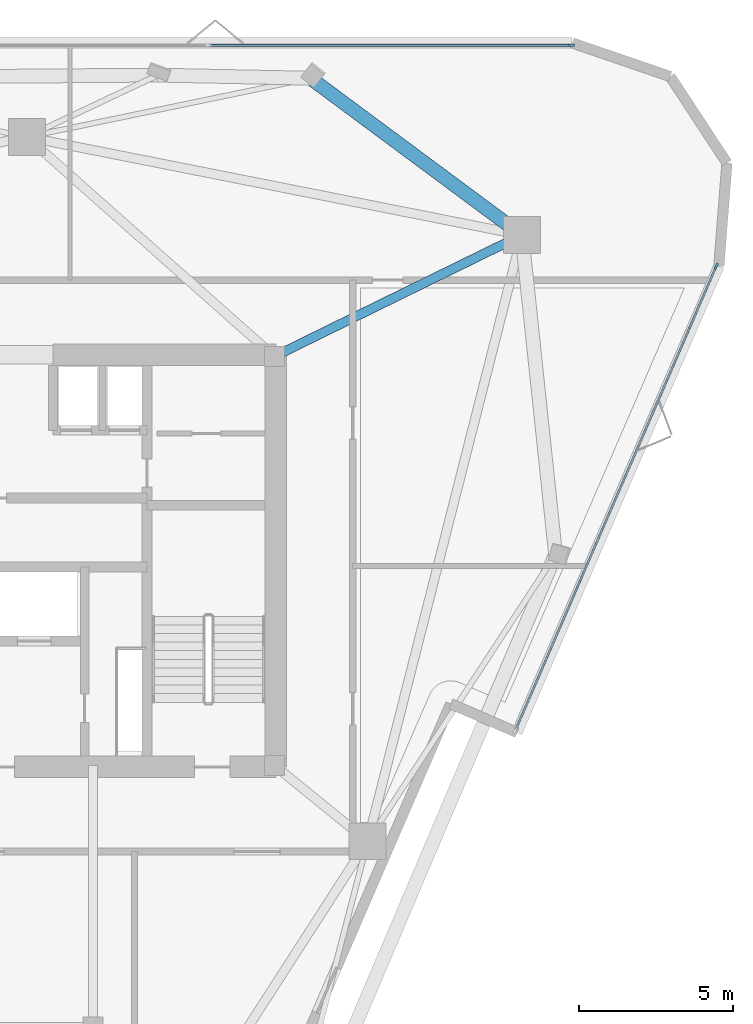
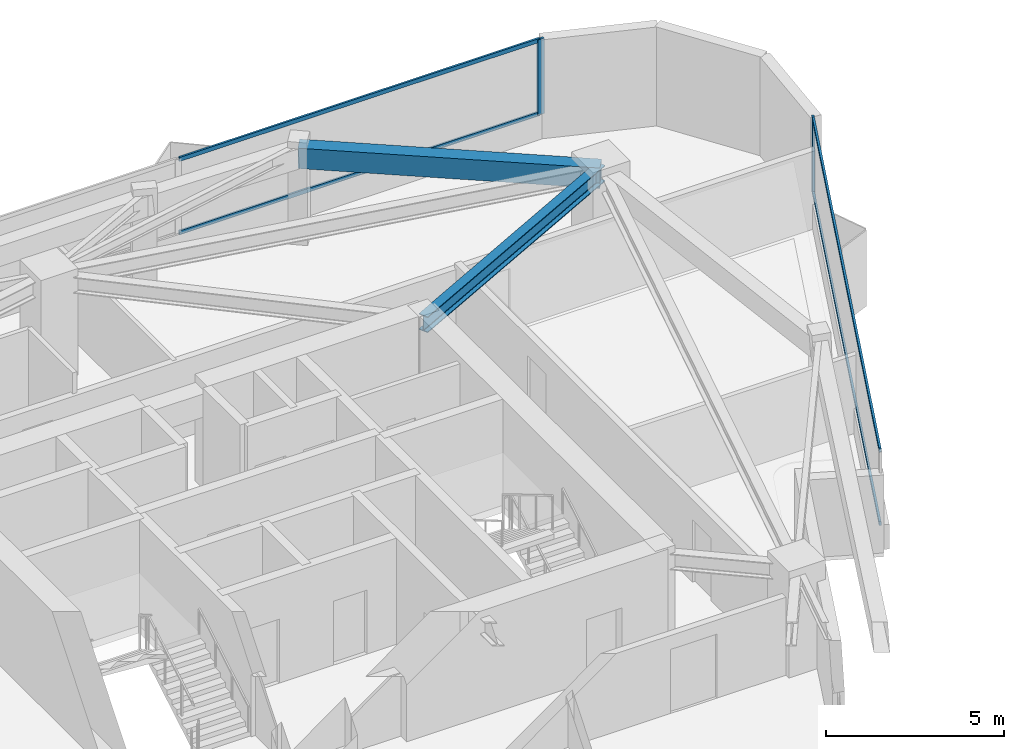
# One storey, part 6 of 10: 6 members, 2 beams, 2 elements without a shape of their own.
"""IFC4 building model written with IfcOpenShell, lengths in metres."""

from ifc_helpers import new_model, si_unit, direction, frame, origin, origin_2d, place, context, subcontext, project, spatial, rectangle, i_section, extrude, material, layer, layer_set, material_profile, profile_set, type_object, element, aggregate, save


model = new_model("IFC4")

# Units and contexts
model_context = context("Model", 3, precision=1e-05, world=origin(), true_north=direction((0.0, 1.0)))
body_context = subcontext(model_context, "Body", "Model", "MODEL_VIEW")
ifc_project = project(units=[si_unit("LENGTHUNIT", "METRE"), si_unit("AREAUNIT", "SQUARE_METRE"), si_unit("VOLUMEUNIT", "CUBIC_METRE"), si_unit("PLANEANGLEUNIT", "RADIAN"), si_unit("MASSUNIT", "GRAM", prefix="KILO")], contexts=[model_context])

# Site, building, storey
site_placement = place(None, origin())
site = spatial("IfcSite", under=ifc_project, at=site_placement, CompositionType="ELEMENT")
building_placement = place(site_placement, origin())
building = spatial("IfcBuilding", under=site, at=building_placement, Name="Talyreon Biosciences Tower", CompositionType="ELEMENT")
storey_placement = place(building_placement, frame((0.0, 0.0, 257.14990234375)))
storey = spatial("IfcBuildingStorey", under=building, at=storey_placement, Name="L68", CompositionType="ELEMENT", Elevation=257.14990234375)

# Curtain wall, member
ifc_material_1 = material(Name="Thermally broken aluminium and low-E glazing", Category="aluminium")
ifc_layer = layer(ifc_material_1, 0.205078125)
ifc_layer_set = layer_set([ifc_layer], Name="Thermally broken aluminium and low-E glazing")
curtain_wall_type = type_object("IfcCurtainWallType", Name="CurtainWall_SkyGardenLoggia", PredefinedType="NOTDEFINED", material=ifc_layer_set)
curtain_wall_1_placement = place(storey_placement, origin())
curtain_wall_1 = element("IfcCurtainWall", 1, at=curtain_wall_1_placement, inside=storey, type_object=curtain_wall_type, Name="L68 Unitised Curtain Wall FCW-L68-03", PredefinedType="NOTDEFINED")
ifc_material_2 = material(Name="Anodised thermally broken aluminium", Category="aluminium")
ifc_material_profile_1 = material_profile(ifc_material_2, rectangle(XDim=0.074951171875, YDim=0.2099609375, at=origin_2d()), Name="ALUM MULLION 75x210")
ifc_profile_set_1 = profile_set([ifc_material_profile_1], Name="Anodised thermally broken aluminium")
member_type_1 = type_object("IfcMemberType", Name="CWMullion_75x210", PredefinedType="MULLION", material=ifc_profile_set_1)
member_1_placement = place(storey_placement, frame((83.700927734375, 84.77099609375, 0.81005859375), z_axis=(0.0, 0.0, 1.0), x_axis=(0.0, 1.0, 0.0)))
member_1 = element("IfcMember", 2, at=member_1_placement, type_object=member_type_1, Name="CW7 mullion 4", PredefinedType="MULLION", context=body_context, shape_type="SweptSolid", body=[
    extrude(rectangle(XDim=0.074951171875, YDim=0.2099609375, at=origin_2d()), origin(), (0.0, 0.0, 1.0), 2.590087890625),
])

curtain_wall_2_placement = place(storey_placement, origin())
curtain_wall_2 = element("IfcCurtainWall", 3, at=curtain_wall_2_placement, inside=storey, type_object=curtain_wall_type, Name="L68 Unitised Curtain Wall FCW-L68-07", PredefinedType="NOTDEFINED")
member_2_placement = place(storey_placement, frame((88.42236328125, 77.582763671875, 0.81005859375), z_axis=(0.0, 0.0, 1.0), x_axis=(0.917723960256, -0.397218746753, 0.0)))
member_2 = element("IfcMember", 4, at=member_2_placement, type_object=member_type_1, Name="CW7 mullion 1", PredefinedType="MULLION", context=body_context, shape_type="SweptSolid", body=[
    extrude(rectangle(XDim=0.074951171875, YDim=0.2099609375, at=origin_2d()), origin(), (0.0, 0.0, 1.0), 2.590087890625),
])

# Member
ifc_material_profile_2 = material_profile(ifc_material_2, rectangle(XDim=0.06494140625, YDim=0.139892578125, at=origin_2d()), Name="ALUM TRANSOM 65x140")
ifc_profile_set_2 = profile_set([ifc_material_profile_2], Name="Anodised thermally broken aluminium")
member_type_2 = type_object("IfcMemberType", Name="CWTransom_65x140", PredefinedType="USERDEFINED", material=ifc_profile_set_2)
member_3_placement = place(storey_placement, frame((71.950439453125, 84.77099609375, 0.842529296875), z_axis=(1.0, 0.0, 0.0), x_axis=(0.0, 1.0, 0.0)))
member_3 = element("IfcMember", 5, at=member_3_placement, type_object=member_type_2, Name="CW7 transom 3.1", ObjectType="TRANSOM", PredefinedType="USERDEFINED", context=body_context, shape_type="SweptSolid", body=[
    extrude(rectangle(XDim=0.06494140625, YDim=0.139892578125, at=origin_2d()), origin(), (0.0, 0.0, 1.0), 11.713134765625),
])

member_4_placement = place(storey_placement, frame((71.950439453125, 84.77099609375, 3.36767578125), z_axis=(1.0, 0.0, 0.0), x_axis=(0.0, 1.0, 0.0)))
member_4 = element("IfcMember", 6, at=member_4_placement, type_object=member_type_2, Name="CW7 transom 3.2", ObjectType="TRANSOM", PredefinedType="USERDEFINED", context=body_context, shape_type="SweptSolid", body=[
    extrude(rectangle(XDim=0.06494140625, YDim=0.139892578125, at=origin_2d()), origin(), (0.0, 0.0, 1.0), 11.713134765625),
])

aggregate(curtain_wall_1, [member_1, member_3, member_4])

member_5_placement = place(storey_placement, frame((88.407470703125, 77.54833984375, 0.842529296875), z_axis=(-0.397228814561, -0.917719602538, 0.0), x_axis=(0.917719602538, -0.397228814561, 0.0)))
member_5 = element("IfcMember", 7, at=member_5_placement, type_object=member_type_2, Name="CW7 transom 1.1", ObjectType="TRANSOM", PredefinedType="USERDEFINED", context=body_context, shape_type="SweptSolid", body=[
    extrude(rectangle(XDim=0.06494140625, YDim=0.139892578125, at=origin_2d()), origin(), (0.0, 0.0, 1.0), 16.378173828125),
])

member_6_placement = place(storey_placement, frame((88.407470703125, 77.54833984375, 3.36767578125), z_axis=(-0.397228814561, -0.917719602538, 0.0), x_axis=(0.917719602538, -0.397228814561, 0.0)))
member_6 = element("IfcMember", 8, at=member_6_placement, type_object=member_type_2, Name="CW7 transom 1.2", ObjectType="TRANSOM", PredefinedType="USERDEFINED", context=body_context, shape_type="SweptSolid", body=[
    extrude(rectangle(XDim=0.06494140625, YDim=0.139892578125, at=origin_2d()), origin(), (0.0, 0.0, 1.0), 16.378173828125),
])

aggregate(curtain_wall_2, [member_2, member_5, member_6])

# Beams
ifc_material_3 = material(Name="Precast concrete C45/55", Category="concrete")
ifc_material_profile_3 = material_profile(ifc_material_3, rectangle(XDim=0.449951171875, YDim=0.699951171875, at=origin_2d()), Name="RCB 450x700")
ifc_profile_set_3 = profile_set([ifc_material_profile_3], Name="Precast concrete C45/55")
beam_type_1 = type_object("IfcBeamType", Name="ExpressedSpandrel_450x700", PredefinedType="SPANDREL", material=ifc_profile_set_3)
beam_1_placement = place(storey_placement, frame((82.102294921875, 78.5986328125, 3.050048828125), z_axis=(-0.803146431215, 0.595781679834, 0.0), x_axis=(-0.595781679834, -0.803146431215, 0.0)))
element("IfcBeam", 9, at=beam_1_placement, inside=storey, type_object=beam_type_1, Name="L68 Expressed Horizontal Concrete Spandrel 05", PredefinedType="SPANDREL", context=body_context, shape_type="SweptSolid", body=[
    extrude(rectangle(XDim=0.449951171875, YDim=0.699951171875, at=origin_2d()), origin(), (0.0, 0.0, 1.0), 8.56396484375),
])
ifc_material_4 = material(Name="Steel SM355", Category="steel")
ifc_material_profile_4 = material_profile(ifc_material_4, i_section(OverallWidth=0.300048828125, OverallDepth=0.550048828125, WebThickness=0.014892578125, FlangeThickness=0.029052734375, FilletRadius=0.027099609375, at=origin_2d()), Name="HE550B")
ifc_profile_set_4 = profile_set([ifc_material_profile_4], Name="Steel SM355")
beam_type_2 = type_object("IfcBeamType", Name="SteelBeam_HE550B", PredefinedType="BEAM", material=ifc_profile_set_4)
beam_2_placement = place(storey_placement, frame((74.050048828125, 74.64990234375, 3.125), z_axis=(0.897852360314, 0.440296648952, 0.0), x_axis=(-0.440296648952, 0.897852360314, 0.0)))
element("IfcBeam", 10, at=beam_2_placement, inside=storey, type_object=beam_type_2, Name="L68 Radial Primary Girder 3", PredefinedType="BEAM", context=body_context, shape_type="SweptSolid", body=[
    extrude(i_section(OverallWidth=0.300048828125, OverallDepth=0.550048828125, WebThickness=0.014892578125, FlangeThickness=0.029052734375, FilletRadius=0.027099609375, at=origin_2d()), origin(), (0.0, 0.0, 1.0), 8.96826171875),
])

save(model, "model.ifc")
